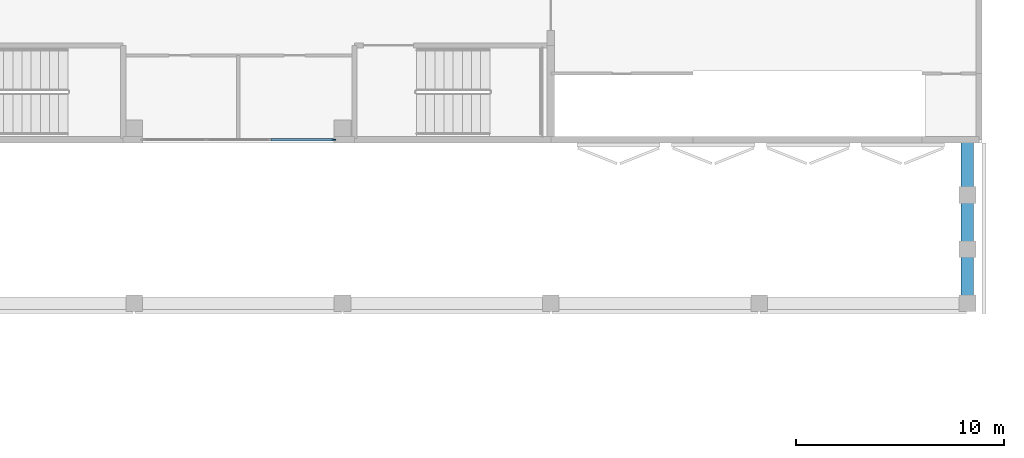
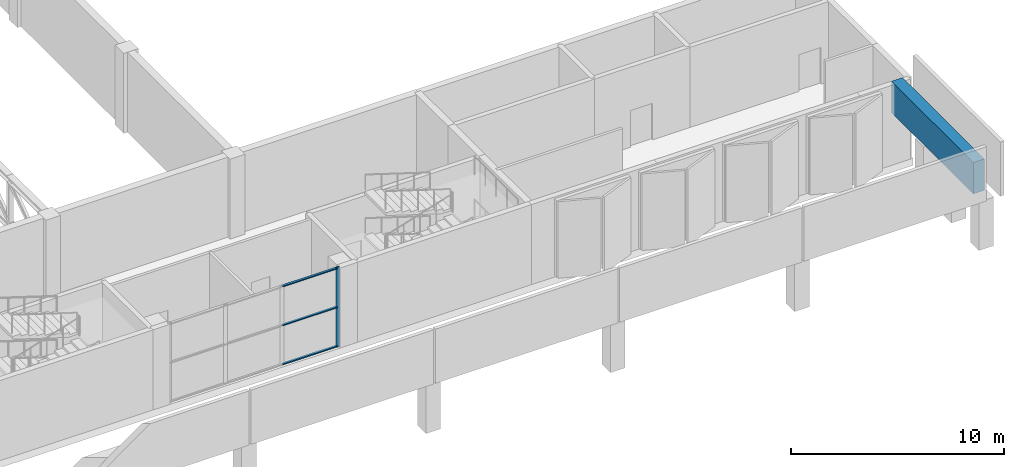
# One storey, part 7 of 36: 4 members, 1 beam, 1 element without a shape of its own.
"""IFC4 building model written with IfcOpenShell, lengths in metres."""

from ifc_helpers import new_model, si_unit, direction, frame, origin, origin_2d, place, context, subcontext, project, spatial, rectangle, extrude, material, material_profile, profile_set, type_object, element, aggregate, save


model = new_model("IFC4")

# Units and contexts
model_context = context("Model", 3, precision=1e-05, world=origin(), true_north=direction((0.0, 1.0)))
body_context = subcontext(model_context, "Body", "Model", "MODEL_VIEW")
ifc_project = project(units=[si_unit("LENGTHUNIT", "METRE"), si_unit("AREAUNIT", "SQUARE_METRE"), si_unit("VOLUMEUNIT", "CUBIC_METRE"), si_unit("PLANEANGLEUNIT", "RADIAN"), si_unit("MASSUNIT", "GRAM", prefix="KILO")], contexts=[model_context])

# Site, building, storey
site_placement = place(None, origin())
site = spatial("IfcSite", under=ifc_project, at=site_placement, CompositionType="ELEMENT")
building_placement = place(site_placement, origin())
building = spatial("IfcBuilding", under=site, at=building_placement, Name="Jabali Bay Hotel Tower and Convention Centre", CompositionType="ELEMENT")
storey_placement = place(building_placement, frame((0.0, 0.0, 20.39990234375)))
storey = spatial("IfcBuildingStorey", under=building, at=storey_placement, Name="L03", CompositionType="ELEMENT", Elevation=20.39990234375)

# Curtain wall, members
ifc_material_1 = material(Name="Aluminium 6063-T5 and glass", Category="aluminium")
curtain_wall_type = type_object("IfcCurtainWallType", Name="CC CW5 Unitised Curtain Wall", PredefinedType="NOTDEFINED", material=ifc_material_1)
curtain_wall_placement = place(storey_placement, origin())
curtain_wall = element("IfcCurtainWall", 1, at=curtain_wall_placement, inside=storey, type_object=curtain_wall_type, Name="CC CW5 run 10", PredefinedType="NOTDEFINED")
ifc_material_2 = material(Name="Aluminium 6063-T5", Category="aluminium")
ifc_material_profile_1 = material_profile(ifc_material_2, rectangle(XDim=0.06005859375, YDim=0.199951171875, at=origin_2d()), Name="AL 60x200")
ifc_profile_set_1 = profile_set([ifc_material_profile_1], Name="Aluminium 6063-T5")
member_type_1 = type_object("IfcMemberType", Name="CC Curtain Wall Mullion 60x200", PredefinedType="MULLION", material=ifc_profile_set_1)
member_1_placement = place(storey_placement, frame((220.27001953125, 49.449951171875, 0.0), z_axis=(0.0, 0.0, 1.0), x_axis=(0.0, 1.0, 0.0)))
member_1 = element("IfcMember", 2, at=member_1_placement, type_object=member_type_1, Name="CC-CW5 mullion 4", PredefinedType="MULLION", context=body_context, shape_type="SweptSolid", body=[
    extrude(rectangle(XDim=0.06005859375, YDim=0.199951171875, at=origin_2d()), origin(), (0.0, 0.0, 1.0), 4.590087890625),
])
ifc_material_profile_2 = material_profile(ifc_material_2, rectangle(XDim=0.1201171875, YDim=0.06005859375, at=origin_2d()), Name="AL 120x60")
ifc_profile_set_2 = profile_set([ifc_material_profile_2], Name="Aluminium 6063-T5")
member_type_2 = type_object("IfcMemberType", Name="CC Curtain Wall Transom 60x120", PredefinedType="USERDEFINED", material=ifc_profile_set_2)
member_2_placement = place(storey_placement, frame((217.263427734375, 49.449951171875, 0.06005859375), z_axis=(1.0, 0.0, 0.0), x_axis=(0.0, 1.0, 0.0)))
member_2 = element("IfcMember", 3, at=member_2_placement, type_object=member_type_2, Name="CC-CW5 transom 3.1", ObjectType="TRANSOM", PredefinedType="USERDEFINED", context=body_context, shape_type="SweptSolid", body=[
    extrude(rectangle(XDim=0.1201171875, YDim=0.06005859375, at=origin_2d()), origin(), (0.0, 0.0, 1.0), 2.9765625),
])
member_3_placement = place(storey_placement, frame((217.263427734375, 49.449951171875, 2.300048828125), z_axis=(1.0, 0.0, 0.0), x_axis=(0.0, 1.0, 0.0)))
member_3 = element("IfcMember", 4, at=member_3_placement, type_object=member_type_2, Name="CC-CW5 transom 3.2", ObjectType="TRANSOM", PredefinedType="USERDEFINED", context=body_context, shape_type="SweptSolid", body=[
    extrude(rectangle(XDim=0.1201171875, YDim=0.06005859375, at=origin_2d()), origin(), (0.0, 0.0, 1.0), 2.9765625),
])
member_4_placement = place(storey_placement, frame((217.263427734375, 49.449951171875, 4.530029296875), z_axis=(1.0, 0.0, 0.0), x_axis=(0.0, 1.0, 0.0)))
member_4 = element("IfcMember", 5, at=member_4_placement, type_object=member_type_2, Name="CC-CW5 transom 3.3", ObjectType="TRANSOM", PredefinedType="USERDEFINED", context=body_context, shape_type="SweptSolid", body=[
    extrude(rectangle(XDim=0.1201171875, YDim=0.06005859375, at=origin_2d()), origin(), (0.0, 0.0, 1.0), 2.9765625),
])
aggregate(curtain_wall, [member_1, member_2, member_3, member_4])

# Beam
ifc_material_3 = material(Name="Concrete C40", Category="concrete")
ifc_material_profile_3 = material_profile(ifc_material_3, rectangle(XDim=0.60009765625, YDim=1.800048828125, at=origin_2d()), Name="RC 600x1800")
ifc_profile_set_3 = profile_set([ifc_material_profile_3], Name="Concrete C40")
beam_type = type_object("IfcBeamType", Name="CC South Fascia Beam 600x1800", PredefinedType="BEAM", material=ifc_profile_set_3)
beam_placement = place(storey_placement, frame((250.699951171875, 41.89990234375, 3.690185546875), z_axis=(0.0, 1.0, 0.0), x_axis=(-1.0, 0.0, 0.0)))
element("IfcBeam", 6, at=beam_placement, inside=storey, type_object=beam_type, Name="CC south roof east return beam", PredefinedType="BEAM", context=body_context, shape_type="SweptSolid", body=[
    extrude(rectangle(XDim=0.60009765625, YDim=1.800048828125, at=origin_2d()), origin(), (0.0, 0.0, 1.0), 7.7001953125),
])

save(model, "model.ifc")
